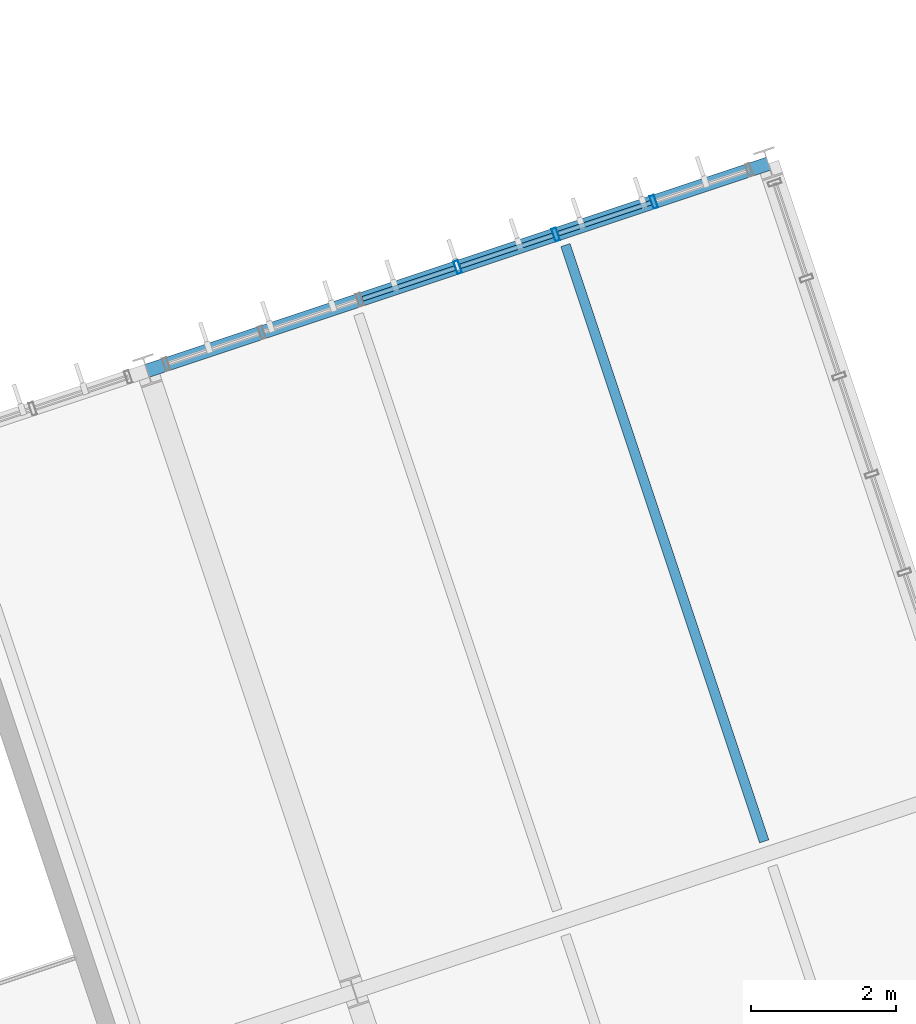
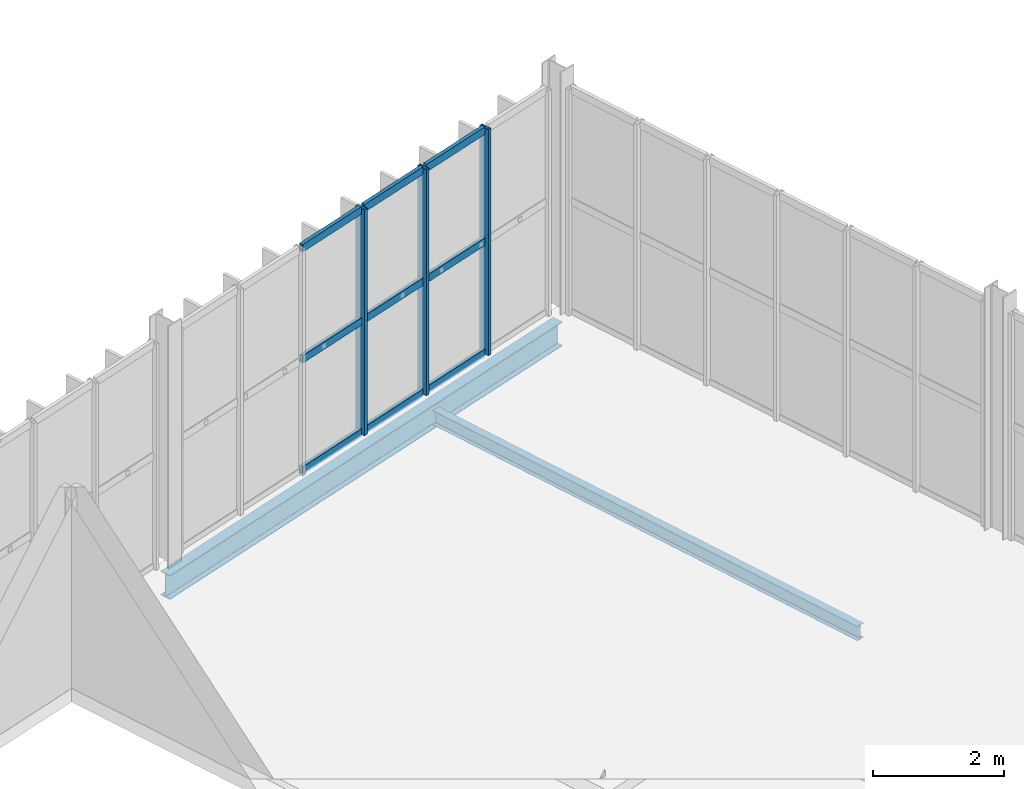
# One storey, part 91 of 152: 12 members, 2 beams, 1 element without a shape of its own.
"""IFC4 building model written with IfcOpenShell, lengths in metres."""

from ifc_helpers import new_model, si_unit, derived_unit, direction, frame, origin, origin_2d, place, context, subcontext, project, spatial, hollow_rectangle, i_section, extrude, material, material_profile, profile_set, type_object, element, aggregate, save


model = new_model("IFC4")

# Units and contexts
model_context = context("Model", 3, precision=1e-05, world=origin(), true_north=direction((0.0, 1.0)))
body_context = subcontext(model_context, "Body", "Model", "MODEL_VIEW")
ifc_project = project(units=[si_unit("LENGTHUNIT", "METRE"), si_unit("AREAUNIT", "SQUARE_METRE"), si_unit("VOLUMEUNIT", "CUBIC_METRE"), si_unit("PLANEANGLEUNIT", "RADIAN"), si_unit("MASSUNIT", "GRAM", prefix="KILO"), si_unit("THERMODYNAMICTEMPERATUREUNIT", "KELVIN"), si_unit("TIMEUNIT", "SECOND"), derived_unit("THERMALTRANSMITTANCEUNIT", [(si_unit("MASSUNIT", "GRAM", prefix="KILO"), 1), (si_unit("THERMODYNAMICTEMPERATUREUNIT", "KELVIN"), -1), (si_unit("TIMEUNIT", "SECOND"), -3)])], contexts=[model_context])

# Site, building, storey
site_placement = place(None, origin())
site = spatial("IfcSite", under=ifc_project, at=site_placement, CompositionType="ELEMENT")
building_placement = place(site_placement, origin())
building = spatial("IfcBuilding", under=site, at=building_placement, Name="Cambertide Market Hall", CompositionType="ELEMENT")
storey_placement = place(building_placement, frame((0.0, 0.0, 5.39990234375)))
storey = spatial("IfcBuildingStorey", under=building, at=storey_placement, Name="L02", CompositionType="ELEMENT", Elevation=5.39990234375)

# Curtain wall, members
ifc_material_1 = material(Name="Marine Anodized Aluminium 6063-T6 AA25", Category="aluminium")
curtain_wall_type = type_object("IfcCurtainWallType", Name="Food Court Upper Glazed Facade", PredefinedType="USERDEFINED", material=ifc_material_1)
curtain_wall_placement = place(storey_placement, origin())
curtain_wall = element("IfcCurtainWall", 1, at=curtain_wall_placement, inside=storey, type_object=curtain_wall_type, Name="Level 2 Curtain Wall CW-V3N-L02-7", ObjectType="UNITIZED CURTAIN WALL", PredefinedType="USERDEFINED")
ifc_material_2 = material(Name="Champagne Marine Anodized Aluminium 6063-T6 AA25", Category="aluminium")
ifc_material_profile_1 = material_profile(ifc_material_2, hollow_rectangle(XDim=0.06494140625, YDim=0.179931640625, WallThickness=0.00390625, at=origin_2d()), Name="ALU MULLION 65x180")
ifc_profile_set_1 = profile_set([ifc_material_profile_1], Name="Champagne Marine Anodized Aluminium 6063-T6 AA25")
member_type_1 = type_object("IfcMemberType", Name="Curtain Wall Mullion ALU MULLION 65x180", PredefinedType="MULLION", material=ifc_profile_set_1)
member_1_placement = place(storey_placement, frame((152.959716796875, 56.11376953125, 0.0), z_axis=(0.0, 0.0, 1.0), x_axis=(0.948683286311, 0.316227801236, 0.0)))
member_1 = element("IfcMember", 2, at=member_1_placement, type_object=member_type_1, Name="CW-V3N-L02-7 Mullion 4", PredefinedType="MULLION", context=body_context, shape_type="SweptSolid", body=[
    extrude(hollow_rectangle(XDim=0.06494140625, YDim=0.179931640625, WallThickness=0.00390625, at=origin_2d()), origin(), (0.0, 0.0, 1.0), 4.2001953125),
])
member_2_placement = place(storey_placement, frame((154.306884765625, 56.562744140625, 0.0), z_axis=(0.0, 0.0, 1.0), x_axis=(0.948683286311, 0.316227801236, 0.0)))
member_2 = element("IfcMember", 3, at=member_2_placement, type_object=member_type_1, Name="CW-V3N-L02-7 Mullion 5", PredefinedType="MULLION", context=body_context, shape_type="SweptSolid", body=[
    extrude(hollow_rectangle(XDim=0.06494140625, YDim=0.179931640625, WallThickness=0.00390625, at=origin_2d()), origin(), (0.0, 0.0, 1.0), 4.2001953125),
])
member_3_placement = place(storey_placement, frame((155.654052734375, 57.011962890625, 0.0), z_axis=(0.0, 0.0, 1.0), x_axis=(0.948683286311, 0.316227801236, 0.0)))
member_3 = element("IfcMember", 4, at=member_3_placement, type_object=member_type_1, Name="CW-V3N-L02-7 Mullion 6", PredefinedType="MULLION", context=body_context, shape_type="SweptSolid", body=[
    extrude(hollow_rectangle(XDim=0.06494140625, YDim=0.179931640625, WallThickness=0.00390625, at=origin_2d()), origin(), (0.0, 0.0, 1.0), 4.2001953125),
])
ifc_material_3 = material(Name="Champagne Marine Anodized Aluminium 6063-T6 AA25", Category="aluminium")
ifc_material_profile_2 = material_profile(ifc_material_3, hollow_rectangle(XDim=0.06494140625, YDim=0.139892578125, WallThickness=0.00341796875, at=origin_2d()), Name="ALU TRANSOM 65x140")
ifc_profile_set_2 = profile_set([ifc_material_profile_2], Name="Champagne Marine Anodized Aluminium 6063-T6 AA25")
member_type_2 = type_object("IfcMemberType", Name="Curtain Wall Transom ALU TRANSOM 65x140", PredefinedType="USERDEFINED", material=ifc_profile_set_2)
member_4_placement = place(storey_placement, frame((151.650634765625, 55.677490234375, 0.03515625), z_axis=(0.948719731918, 0.316118443418, 0.0), x_axis=(-0.316118443418, 0.948719731918, 0.0)))
member_4 = element("IfcMember", 5, at=member_4_placement, type_object=member_type_2, Name="CW-V3N-L02-7 Transom 1-3", ObjectType="TRANSOM", PredefinedType="USERDEFINED", context=body_context, shape_type="SweptSolid", body=[
    extrude(hollow_rectangle(XDim=0.06494140625, YDim=0.139892578125, WallThickness=0.00341796875, at=origin_2d()), origin(), (0.0, 0.0, 1.0), 1.33984375),
])
member_5_placement = place(storey_placement, frame((152.997802734375, 56.12646484375, 0.03515625), z_axis=(0.948719731918, 0.316118443418, 0.0), x_axis=(-0.316118443418, 0.948719731918, 0.0)))
member_5 = element("IfcMember", 6, at=member_5_placement, type_object=member_type_2, Name="CW-V3N-L02-7 Transom 1-4", ObjectType="TRANSOM", PredefinedType="USERDEFINED", context=body_context, shape_type="SweptSolid", body=[
    extrude(hollow_rectangle(XDim=0.06494140625, YDim=0.139892578125, WallThickness=0.00341796875, at=origin_2d()), origin(), (0.0, 0.0, 1.0), 1.33984375),
])
member_6_placement = place(storey_placement, frame((154.344970703125, 56.575439453125, 0.03515625), z_axis=(0.948665077442, 0.316282422593, 0.0), x_axis=(-0.316282422593, 0.948665077442, 0.0)))
member_6 = element("IfcMember", 7, at=member_6_placement, type_object=member_type_2, Name="CW-V3N-L02-7 Transom 1-5", ObjectType="TRANSOM", PredefinedType="USERDEFINED", context=body_context, shape_type="SweptSolid", body=[
    extrude(hollow_rectangle(XDim=0.06494140625, YDim=0.139892578125, WallThickness=0.00341796875, at=origin_2d()), origin(), (0.0, 0.0, 1.0), 1.340087890625),
])
member_7_placement = place(storey_placement, frame((151.650634765625, 55.677490234375, 2.10009765625), z_axis=(0.948719731918, 0.316118443418, 0.0), x_axis=(-0.316118443418, 0.948719731918, 0.0)))
member_7 = element("IfcMember", 8, at=member_7_placement, type_object=member_type_2, Name="CW-V3N-L02-7 Transom 2-3", ObjectType="TRANSOM", PredefinedType="USERDEFINED", context=body_context, shape_type="SweptSolid", body=[
    extrude(hollow_rectangle(XDim=0.06494140625, YDim=0.139892578125, WallThickness=0.00341796875, at=origin_2d()), origin(), (0.0, 0.0, 1.0), 1.33984375),
])
member_8_placement = place(storey_placement, frame((152.997802734375, 56.12646484375, 2.10009765625), z_axis=(0.948719731918, 0.316118443418, 0.0), x_axis=(-0.316118443418, 0.948719731918, 0.0)))
member_8 = element("IfcMember", 9, at=member_8_placement, type_object=member_type_2, Name="CW-V3N-L02-7 Transom 2-4", ObjectType="TRANSOM", PredefinedType="USERDEFINED", context=body_context, shape_type="SweptSolid", body=[
    extrude(hollow_rectangle(XDim=0.06494140625, YDim=0.139892578125, WallThickness=0.00341796875, at=origin_2d()), origin(), (0.0, 0.0, 1.0), 1.33984375),
])
member_9_placement = place(storey_placement, frame((154.344970703125, 56.575439453125, 2.10009765625), z_axis=(0.948665077442, 0.316282422593, 0.0), x_axis=(-0.316282422593, 0.948665077442, 0.0)))
member_9 = element("IfcMember", 10, at=member_9_placement, type_object=member_type_2, Name="CW-V3N-L02-7 Transom 2-5", ObjectType="TRANSOM", PredefinedType="USERDEFINED", context=body_context, shape_type="SweptSolid", body=[
    extrude(hollow_rectangle(XDim=0.06494140625, YDim=0.139892578125, WallThickness=0.00341796875, at=origin_2d()), origin(), (0.0, 0.0, 1.0), 1.340087890625),
])
member_10_placement = place(storey_placement, frame((151.650634765625, 55.677490234375, 4.1650390625), z_axis=(0.948719731918, 0.316118443418, 0.0), x_axis=(-0.316118443418, 0.948719731918, 0.0)))
member_10 = element("IfcMember", 11, at=member_10_placement, type_object=member_type_2, Name="CW-V3N-L02-7 Transom 3-3", ObjectType="TRANSOM", PredefinedType="USERDEFINED", context=body_context, shape_type="SweptSolid", body=[
    extrude(hollow_rectangle(XDim=0.06494140625, YDim=0.139892578125, WallThickness=0.00341796875, at=origin_2d()), origin(), (0.0, 0.0, 1.0), 1.33984375),
])
member_11_placement = place(storey_placement, frame((152.997802734375, 56.12646484375, 4.1650390625), z_axis=(0.948719731918, 0.316118443418, 0.0), x_axis=(-0.316118443418, 0.948719731918, 0.0)))
member_11 = element("IfcMember", 12, at=member_11_placement, type_object=member_type_2, Name="CW-V3N-L02-7 Transom 3-4", ObjectType="TRANSOM", PredefinedType="USERDEFINED", context=body_context, shape_type="SweptSolid", body=[
    extrude(hollow_rectangle(XDim=0.06494140625, YDim=0.139892578125, WallThickness=0.00341796875, at=origin_2d()), origin(), (0.0, 0.0, 1.0), 1.33984375),
])
member_12_placement = place(storey_placement, frame((154.344970703125, 56.575439453125, 4.1650390625), z_axis=(0.948665077442, 0.316282422593, 0.0), x_axis=(-0.316282422593, 0.948665077442, 0.0)))
member_12 = element("IfcMember", 13, at=member_12_placement, type_object=member_type_2, Name="CW-V3N-L02-7 Transom 3-5", ObjectType="TRANSOM", PredefinedType="USERDEFINED", context=body_context, shape_type="SweptSolid", body=[
    extrude(hollow_rectangle(XDim=0.06494140625, YDim=0.139892578125, WallThickness=0.00341796875, at=origin_2d()), origin(), (0.0, 0.0, 1.0), 1.340087890625),
])
aggregate(curtain_wall, [member_1, member_2, member_3, member_4, member_5, member_6, member_7, member_8, member_9, member_10, member_11, member_12])

# Beams
ifc_material_4 = material(Name="Steel S355", Category="steel")
ifc_material_profile_3 = material_profile(ifc_material_4, i_section(OverallWidth=0.18994140625, OverallDepth=0.449951171875, WebThickness=0.009521484375, FlangeThickness=0.0146484375, FilletRadius=0.02099609375, at=origin_2d()), Name="IPE 450")
ifc_profile_set_3 = profile_set([ifc_material_profile_3], Name="Steel S355")
beam_type_1 = type_object("IfcBeamType", Name="Perimeter Spandrel Beam IPE 450", PredefinedType="SPANDREL", material=ifc_profile_set_3)
beam_1_placement = place(storey_placement, frame((148.690673828125, 54.690673828125, -0.474853515625), z_axis=(0.948680585407, 0.316235903831, 0.0), x_axis=(-0.316235903831, 0.948680585407, 0.0)))
element("IfcBeam", 14, at=beam_1_placement, inside=storey, type_object=beam_type_1, Name="Level 2 Spandrel BM-V3U-L02-7-4", PredefinedType="SPANDREL", context=body_context, shape_type="SweptSolid", body=[
    extrude(i_section(OverallWidth=0.18994140625, OverallDepth=0.449951171875, WebThickness=0.009521484375, FlangeThickness=0.0146484375, FilletRadius=0.02099609375, at=origin_2d()), origin(), (0.0, 0.0, 1.0), 9.000244140625),
])
ifc_material_5 = material(Name="Steel S275", Category="steel")
ifc_material_profile_4 = material_profile(ifc_material_5, i_section(OverallWidth=0.135009765625, OverallDepth=0.27001953125, WebThickness=0.006591796875, FlangeThickness=0.01025390625, FilletRadius=0.014892578125, at=origin_2d()), Name="IPE 270")
ifc_profile_set_4 = profile_set([ifc_material_profile_4], Name="Steel S275")
beam_type_2 = type_object("IfcBeamType", Name="Steel Secondary Joist IPE 270", PredefinedType="JOIST", material=ifc_profile_set_4)
beam_2_placement = place(storey_placement, frame((157.171875, 48.220703125, -0.385009765625), z_axis=(-0.316227766017, 0.948683298051, 0.0), x_axis=(-0.948683298051, -0.316227766017, 0.0)))
element("IfcBeam", 15, at=beam_2_placement, inside=storey, type_object=beam_type_2, Name="Level 2 Joist JS-V3-L02-7-3-2", PredefinedType="JOIST", context=body_context, shape_type="SweptSolid", body=[
    extrude(i_section(OverallWidth=0.135009765625, OverallDepth=0.27001953125, WebThickness=0.006591796875, FlangeThickness=0.01025390625, FilletRadius=0.014892578125, at=origin_2d()), origin(), (0.0, 0.0, 1.0), 8.639892578125),
])

save(model, "model.ifc")
